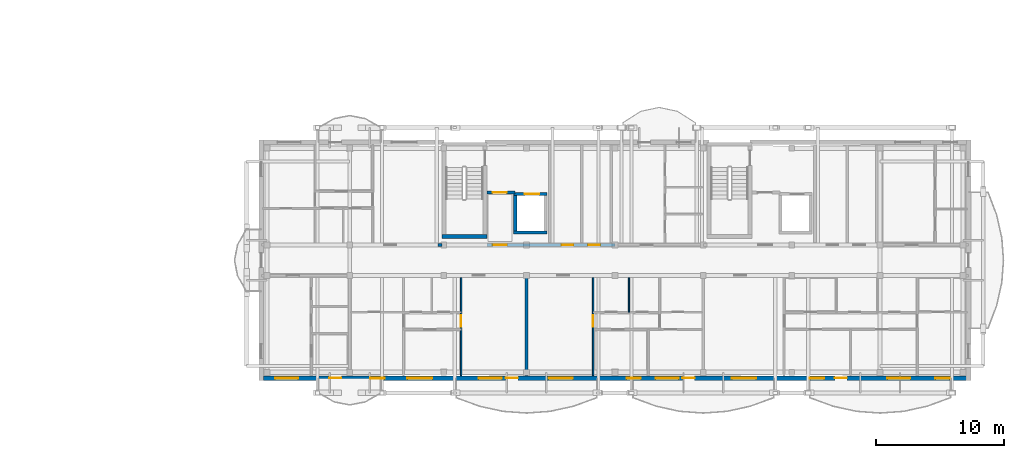
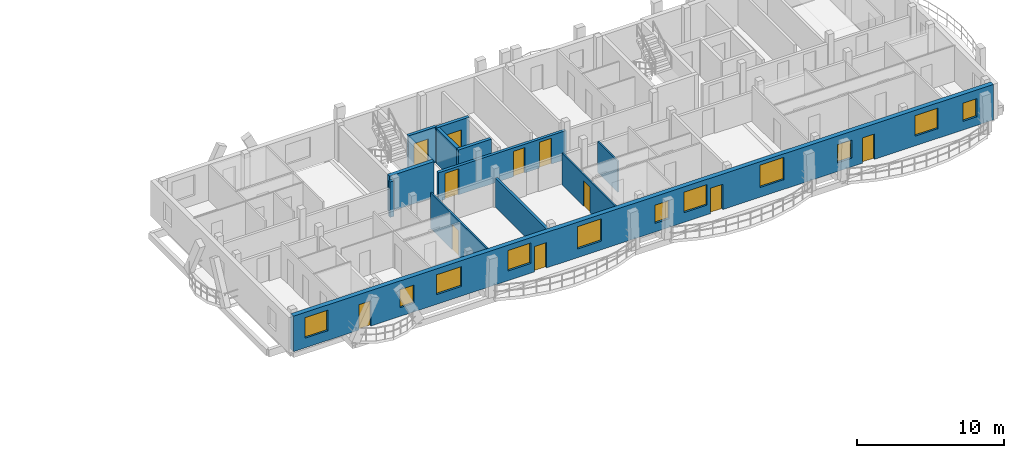
# One storey, part 31 of 52: 12 walls, 11 doors, 11 windows, 22 openings.
"""IFC4 building model written with IfcOpenShell, lengths in metres."""

from ifc_helpers import new_model, si_unit, direction, frame, frame_2d, origin, origin_with_axes, place, context, subcontext, project, spatial, rectangle, extrude, material, layer, layer_set, type_object, element, fill, save


model = new_model("IFC4")

# Units and contexts
model_context = context("Model", 3, precision=1e-05, world=origin(), true_north=direction((0.0, 1.0)))
body_context = subcontext(model_context, "Body", "Model", "MODEL_VIEW")
ifc_project = project(units=[si_unit("LENGTHUNIT", "METRE"), si_unit("AREAUNIT", "SQUARE_METRE"), si_unit("VOLUMEUNIT", "CUBIC_METRE"), si_unit("PLANEANGLEUNIT", "RADIAN"), si_unit("MASSUNIT", "GRAM", prefix="KILO")], contexts=[model_context])

# Site, building, storey
site_placement = place(None, origin())
site = spatial("IfcSite", under=ifc_project, at=site_placement, CompositionType="ELEMENT")
building_placement = place(site_placement, origin())
building = spatial("IfcBuilding", under=site, at=building_placement, Name="Zavelmont Quarter", CompositionType="ELEMENT")
storey_placement = place(building_placement, frame((0.0, 0.0, 14.39990234375)))
storey = spatial("IfcBuildingStorey", under=building, at=storey_placement, Name="L04", CompositionType="ELEMENT", Elevation=14.39990234375)

# Wall, openings, doors, windows
ifc_material_1 = material(Name="Natural Belgian limestone", Category="masonry")
ifc_layer_1 = layer(ifc_material_1, 0.360107421875)
ifc_layer_set_1 = layer_set([ifc_layer_1], Name="Natural Belgian limestone")
wall_type_1 = type_object("IfcWallType", Name="EW02", PredefinedType="STANDARD", material=ifc_layer_set_1)
wall_1_placement = place(storey_placement, frame((112.969970703125, 0.0, 0.0), z_axis=(0.0, 0.0, 1.0), x_axis=(1.0, 0.0, 0.0)))
wall_1 = element("IfcWall", 1, at=wall_1_placement, inside=storey, type_object=wall_type_1, Name="L04 exterior limestone wall EW02", PredefinedType="STANDARD", context=body_context, shape_type="SweptSolid", body=[
    extrude(rectangle(XDim=54.860107421875, YDim=0.360107421875, at=frame_2d((27.43017578125, 0.0))), origin(), (0.0, 0.0, 1.0), 2.940185546875),
])
opening_1_placement = place(wall_1_placement, frame((5.126708984375, 0.0, 0.0)))
opening_1 = element("IfcOpeningElement", 2, at=opening_1_placement, cuts=wall_1, Name="Opening DR04", PredefinedType="OPENING", context=body_context, shape_type="SweptSolid", body=[
    extrude(rectangle(XDim=0.949951171875, YDim=2.10009765625, at=frame_2d((0.47509765625, 1.050048828125))), frame((0.0, 0.19189453125, 0.0), z_axis=(0.0, -1.0, 0.0), x_axis=(1.0, 0.0, 0.0)), (0.0, 0.0, 1.0), 0.384033203125),
])
opening_2_placement = place(wall_1_placement, frame((18.89990234375, 0.0, 0.0)))
opening_2 = element("IfcOpeningElement", 3, at=opening_2_placement, cuts=wall_1, Name="Opening DR04", PredefinedType="OPENING", context=body_context, shape_type="SweptSolid", body=[
    extrude(rectangle(XDim=0.949951171875, YDim=2.10009765625, at=frame_2d((0.47509765625, 1.050048828125))), frame((0.0, 0.19189453125, 0.0), z_axis=(0.0, -1.0, 0.0), x_axis=(1.0, 0.0, 0.0)), (0.0, 0.0, 1.0), 0.384033203125),
])
opening_3_placement = place(wall_1_placement, frame((32.699951171875, 0.0, 0.0)))
opening_3 = element("IfcOpeningElement", 4, at=opening_3_placement, cuts=wall_1, Name="Opening DR04", PredefinedType="OPENING", context=body_context, shape_type="SweptSolid", body=[
    extrude(rectangle(XDim=0.949951171875, YDim=2.10009765625, at=frame_2d((0.47509765625, 1.050048828125))), frame((0.0, 0.19189453125, 0.0), z_axis=(0.0, -1.0, 0.0), x_axis=(1.0, 0.0, 0.0)), (0.0, 0.0, 1.0), 0.384033203125),
])
opening_4_placement = place(wall_1_placement, frame((44.591064453125, 0.0, 0.0)))
opening_4 = element("IfcOpeningElement", 5, at=opening_4_placement, cuts=wall_1, Name="Opening DR04", PredefinedType="OPENING", context=body_context, shape_type="SweptSolid", body=[
    extrude(rectangle(XDim=0.949951171875, YDim=2.10009765625, at=frame_2d((0.47509765625, 1.050048828125))), frame((0.0, 0.19189453125, 0.0), z_axis=(0.0, -1.0, 0.0), x_axis=(1.0, 0.0, 0.0)), (0.0, 0.0, 1.0), 0.384033203125),
])
opening_5_placement = place(wall_1_placement, frame((0.89990234375, 0.0, 0.800048828125)))
opening_5 = element("IfcOpeningElement", 6, at=opening_5_placement, cuts=wall_1, Name="Opening WN02", PredefinedType="OPENING", context=body_context, shape_type="SweptSolid", body=[
    extrude(rectangle(XDim=1.800048828125, YDim=1.699951171875, at=frame_2d((0.89990234375, 0.85009765625))), frame((0.0, 0.19189453125, 0.0), z_axis=(0.0, -1.0, 0.0), x_axis=(1.0, 0.0, 0.0)), (0.0, 0.0, 1.0), 0.384033203125),
])
opening_6_placement = place(wall_1_placement, frame((8.35009765625, 0.0, 0.719970703125)))
opening_6 = element("IfcOpeningElement", 7, at=opening_6_placement, cuts=wall_1, Name="Opening WN09", PredefinedType="OPENING", context=body_context, shape_type="SweptSolid", body=[
    extrude(rectangle(XDim=1.10009765625, YDim=1.5, at=frame_2d((0.550048828125, 0.75))), frame((0.0, 0.19189453125, 0.0), z_axis=(0.0, -1.0, 0.0), x_axis=(1.0, 0.0, 0.0)), (0.0, 0.0, 1.0), 0.384033203125),
])
opening_7_placement = place(wall_1_placement, frame((11.22509765625, 0.0, 0.800048828125)))
opening_7 = element("IfcOpeningElement", 8, at=opening_7_placement, cuts=wall_1, Name="Opening WN24", PredefinedType="OPENING", context=body_context, shape_type="SweptSolid", body=[
    extrude(rectangle(XDim=1.949951171875, YDim=1.64990234375, at=frame_2d((0.97509765625, 0.824951171875))), frame((0.0, 0.19189453125, 0.0), z_axis=(0.0, -1.0, 0.0), x_axis=(1.0, 0.0, 0.0)), (0.0, 0.0, 1.0), 0.384033203125),
])
opening_8_placement = place(wall_1_placement, frame((16.800048828125, 0.0, 0.800048828125)))
opening_8 = element("IfcOpeningElement", 9, at=opening_8_placement, cuts=wall_1, Name="Opening WN02", PredefinedType="OPENING", context=body_context, shape_type="SweptSolid", body=[
    extrude(rectangle(XDim=1.800048828125, YDim=1.699951171875, at=frame_2d((0.89990234375, 0.85009765625))), frame((0.0, 0.19189453125, 0.0), z_axis=(0.0, -1.0, 0.0), x_axis=(1.0, 0.0, 0.0)), (0.0, 0.0, 1.0), 0.384033203125),
])
opening_9_placement = place(wall_1_placement, frame((22.25, 0.0, 0.719970703125)))
opening_9 = element("IfcOpeningElement", 10, at=opening_9_placement, cuts=wall_1, Name="Opening WN20", PredefinedType="OPENING", context=body_context, shape_type="SweptSolid", body=[
    extrude(rectangle(XDim=1.89990234375, YDim=1.85009765625, at=frame_2d((0.949951171875, 0.925048828125))), frame((0.0, 0.19189453125, 0.0), z_axis=(0.0, -1.0, 0.0), x_axis=(1.0, 0.0, 0.0)), (0.0, 0.0, 1.0), 0.384033203125),
])
opening_10_placement = place(wall_1_placement, frame((28.35009765625, 0.0, 0.719970703125)))
opening_10 = element("IfcOpeningElement", 11, at=opening_10_placement, cuts=wall_1, Name="Opening WN09", PredefinedType="OPENING", context=body_context, shape_type="SweptSolid", body=[
    extrude(rectangle(XDim=1.10009765625, YDim=1.5, at=frame_2d((0.550048828125, 0.75))), frame((0.0, 0.19189453125, 0.0), z_axis=(0.0, -1.0, 0.0), x_axis=(1.0, 0.0, 0.0)), (0.0, 0.0, 1.0), 0.384033203125),
])
opening_11_placement = place(wall_1_placement, frame((30.60009765625, 0.0, 0.800048828125)))
opening_11 = element("IfcOpeningElement", 12, at=opening_11_placement, cuts=wall_1, Name="Opening WN02", PredefinedType="OPENING", context=body_context, shape_type="SweptSolid", body=[
    extrude(rectangle(XDim=1.800048828125, YDim=1.699951171875, at=frame_2d((0.89990234375, 0.85009765625))), frame((0.0, 0.19189453125, 0.0), z_axis=(0.0, -1.0, 0.0), x_axis=(1.0, 0.0, 0.0)), (0.0, 0.0, 1.0), 0.384033203125),
])
opening_12_placement = place(wall_1_placement, frame((36.550048828125, 0.0, 0.800048828125)))
opening_12 = element("IfcOpeningElement", 13, at=opening_12_placement, cuts=wall_1, Name="Opening WN20", PredefinedType="OPENING", context=body_context, shape_type="SweptSolid", body=[
    extrude(rectangle(XDim=1.89990234375, YDim=1.85009765625, at=frame_2d((0.949951171875, 0.925048828125))), frame((0.0, 0.19189453125, 0.0), z_axis=(0.0, -1.0, 0.0), x_axis=(1.0, 0.0, 0.0)), (0.0, 0.0, 1.0), 0.384033203125),
])
opening_13_placement = place(wall_1_placement, frame((42.64990234375, 0.0, 0.719970703125)))
opening_13 = element("IfcOpeningElement", 14, at=opening_13_placement, cuts=wall_1, Name="Opening WN09", PredefinedType="OPENING", context=body_context, shape_type="SweptSolid", body=[
    extrude(rectangle(XDim=1.10009765625, YDim=1.5, at=frame_2d((0.550048828125, 0.75))), frame((0.0, 0.19189453125, 0.0), z_axis=(0.0, -1.0, 0.0), x_axis=(1.0, 0.0, 0.0)), (0.0, 0.0, 1.0), 0.384033203125),
])
opening_14_placement = place(wall_1_placement, frame((48.699951171875, 0.0, 0.800048828125)))
opening_14 = element("IfcOpeningElement", 15, at=opening_14_placement, cuts=wall_1, Name="Opening WN02", PredefinedType="OPENING", context=body_context, shape_type="SweptSolid", body=[
    extrude(rectangle(XDim=1.800048828125, YDim=1.699951171875, at=frame_2d((0.89990234375, 0.85009765625))), frame((0.0, 0.19189453125, 0.0), z_axis=(0.0, -1.0, 0.0), x_axis=(1.0, 0.0, 0.0)), (0.0, 0.0, 1.0), 0.384033203125),
])
opening_15_placement = place(wall_1_placement, frame((52.449951171875, 0.0, 0.719970703125)))
opening_15 = element("IfcOpeningElement", 16, at=opening_15_placement, cuts=wall_1, Name="Opening WN09", PredefinedType="OPENING", context=body_context, shape_type="SweptSolid", body=[
    extrude(rectangle(XDim=1.10009765625, YDim=1.5, at=frame_2d((0.550048828125, 0.75))), frame((0.0, 0.19189453125, 0.0), z_axis=(0.0, -1.0, 0.0), x_axis=(1.0, 0.0, 0.0)), (0.0, 0.0, 1.0), 0.384033203125),
])
ifc_material_2 = material(Name="Thermally broken aluminium and double safety glass", Category="aluminium")
door_type_1 = type_object("IfcDoorType", Name="DR04", OperationType="NOTDEFINED", PredefinedType="DOOR", material=ifc_material_2)
door_1_placement = place(opening_1_placement, origin_with_axes())
door_1 = element("IfcDoor", 17, at=door_1_placement, inside=storey, type_object=door_type_1, Name="Block D L04 glazed balcony door", OperationType="SINGLE_SWING_RIGHT", OverallHeight=2.10009765625, OverallWidth=0.949951171875, PredefinedType="DOOR", context=body_context, shape_type="SweptSolid", body=[
    extrude(rectangle(XDim=0.949951171875, YDim=2.10009765625, at=frame_2d((0.47509765625, 1.050048828125))), frame((0.0, 0.02490234375, 0.0), z_axis=(0.0, -1.0, 0.0), x_axis=(1.0, 0.0, 0.0)), (0.0, 0.0, 1.0), 0.050048828125),
])
fill(opening_1, door_1)
door_2_placement = place(opening_2_placement, origin_with_axes())
door_2 = element("IfcDoor", 18, at=door_2_placement, inside=storey, type_object=door_type_1, Name="Block D L04 glazed balcony door", OperationType="SINGLE_SWING_RIGHT", OverallHeight=2.10009765625, OverallWidth=0.949951171875, PredefinedType="DOOR", context=body_context, shape_type="SweptSolid", body=[
    extrude(rectangle(XDim=0.949951171875, YDim=2.10009765625, at=frame_2d((0.47509765625, 1.050048828125))), frame((0.0, 0.02490234375, 0.0), z_axis=(0.0, -1.0, 0.0), x_axis=(1.0, 0.0, 0.0)), (0.0, 0.0, 1.0), 0.050048828125),
])
fill(opening_2, door_2)
door_3_placement = place(opening_3_placement, origin_with_axes())
door_3 = element("IfcDoor", 19, at=door_3_placement, inside=storey, type_object=door_type_1, Name="Block D L04 glazed balcony door", OperationType="SINGLE_SWING_RIGHT", OverallHeight=2.10009765625, OverallWidth=0.949951171875, PredefinedType="DOOR", context=body_context, shape_type="SweptSolid", body=[
    extrude(rectangle(XDim=0.949951171875, YDim=2.10009765625, at=frame_2d((0.47509765625, 1.050048828125))), frame((0.0, 0.02490234375, 0.0), z_axis=(0.0, -1.0, 0.0), x_axis=(1.0, 0.0, 0.0)), (0.0, 0.0, 1.0), 0.050048828125),
])
fill(opening_3, door_3)
door_4_placement = place(opening_4_placement, origin_with_axes())
door_4 = element("IfcDoor", 20, at=door_4_placement, inside=storey, type_object=door_type_1, Name="Block D L04 glazed balcony door", OperationType="SINGLE_SWING_RIGHT", OverallHeight=2.10009765625, OverallWidth=0.949951171875, PredefinedType="DOOR", context=body_context, shape_type="SweptSolid", body=[
    extrude(rectangle(XDim=0.949951171875, YDim=2.10009765625, at=frame_2d((0.47509765625, 1.050048828125))), frame((0.0, 0.02490234375, 0.0), z_axis=(0.0, -1.0, 0.0), x_axis=(1.0, 0.0, 0.0)), (0.0, 0.0, 1.0), 0.050048828125),
])
fill(opening_4, door_4)
ifc_material_3 = material(Name="Double low-E insulated glazing in thermally broken aluminium frame", Category="aluminium")
window_type_1 = type_object("IfcWindowType", Name="WN02", PartitioningType="SINGLE_PANEL", PredefinedType="WINDOW", material=ifc_material_3)
window_1_placement = place(opening_5_placement, origin_with_axes())
window_1 = element("IfcWindow", 21, at=window_1_placement, inside=storey, type_object=window_type_1, Name="L04 window WN02", OverallHeight=1.699951171875, OverallWidth=1.800048828125, PartitioningType="SINGLE_PANEL", PredefinedType="WINDOW", context=body_context, shape_type="SweptSolid", body=[
    extrude(rectangle(XDim=1.800048828125, YDim=1.699951171875, at=frame_2d((0.89990234375, 0.85009765625))), frame((0.0, 0.030029296875, 0.0), z_axis=(0.0, -1.0, 0.0), x_axis=(1.0, 0.0, 0.0)), (0.0, 0.0, 1.0), 0.06005859375),
])
fill(opening_5, window_1)
window_2_placement = place(opening_8_placement, origin_with_axes())
window_2 = element("IfcWindow", 22, at=window_2_placement, inside=storey, type_object=window_type_1, Name="L04 window WN02", OverallHeight=1.699951171875, OverallWidth=1.800048828125, PartitioningType="SINGLE_PANEL", PredefinedType="WINDOW", context=body_context, shape_type="SweptSolid", body=[
    extrude(rectangle(XDim=1.800048828125, YDim=1.699951171875, at=frame_2d((0.89990234375, 0.85009765625))), frame((0.0, 0.030029296875, 0.0), z_axis=(0.0, -1.0, 0.0), x_axis=(1.0, 0.0, 0.0)), (0.0, 0.0, 1.0), 0.06005859375),
])
fill(opening_8, window_2)
window_3_placement = place(opening_11_placement, origin_with_axes())
window_3 = element("IfcWindow", 23, at=window_3_placement, inside=storey, type_object=window_type_1, Name="L04 window WN02", OverallHeight=1.699951171875, OverallWidth=1.800048828125, PartitioningType="SINGLE_PANEL", PredefinedType="WINDOW", context=body_context, shape_type="SweptSolid", body=[
    extrude(rectangle(XDim=1.800048828125, YDim=1.699951171875, at=frame_2d((0.89990234375, 0.85009765625))), frame((0.0, 0.030029296875, 0.0), z_axis=(0.0, -1.0, 0.0), x_axis=(1.0, 0.0, 0.0)), (0.0, 0.0, 1.0), 0.06005859375),
])
fill(opening_11, window_3)
window_4_placement = place(opening_14_placement, origin_with_axes())
window_4 = element("IfcWindow", 24, at=window_4_placement, inside=storey, type_object=window_type_1, Name="L04 window WN02", OverallHeight=1.699951171875, OverallWidth=1.800048828125, PartitioningType="SINGLE_PANEL", PredefinedType="WINDOW", context=body_context, shape_type="SweptSolid", body=[
    extrude(rectangle(XDim=1.800048828125, YDim=1.699951171875, at=frame_2d((0.89990234375, 0.85009765625))), frame((0.0, 0.030029296875, 0.0), z_axis=(0.0, -1.0, 0.0), x_axis=(1.0, 0.0, 0.0)), (0.0, 0.0, 1.0), 0.06005859375),
])
fill(opening_14, window_4)
window_type_2 = type_object("IfcWindowType", Name="WN09", PartitioningType="SINGLE_PANEL", PredefinedType="WINDOW", material=ifc_material_3)
window_5_placement = place(opening_6_placement, origin_with_axes())
window_5 = element("IfcWindow", 25, at=window_5_placement, inside=storey, type_object=window_type_2, Name="L04 window WN09", OverallHeight=1.5, OverallWidth=1.10009765625, PartitioningType="SINGLE_PANEL", PredefinedType="WINDOW", context=body_context, shape_type="SweptSolid", body=[
    extrude(rectangle(XDim=1.10009765625, YDim=1.5, at=frame_2d((0.550048828125, 0.75))), frame((0.0, 0.030029296875, 0.0), z_axis=(0.0, -1.0, 0.0), x_axis=(1.0, 0.0, 0.0)), (0.0, 0.0, 1.0), 0.06005859375),
])
fill(opening_6, window_5)
window_6_placement = place(opening_10_placement, origin_with_axes())
window_6 = element("IfcWindow", 26, at=window_6_placement, inside=storey, type_object=window_type_2, Name="L04 window WN09", OverallHeight=1.5, OverallWidth=1.10009765625, PartitioningType="SINGLE_PANEL", PredefinedType="WINDOW", context=body_context, shape_type="SweptSolid", body=[
    extrude(rectangle(XDim=1.10009765625, YDim=1.5, at=frame_2d((0.550048828125, 0.75))), frame((0.0, 0.030029296875, 0.0), z_axis=(0.0, -1.0, 0.0), x_axis=(1.0, 0.0, 0.0)), (0.0, 0.0, 1.0), 0.06005859375),
])
fill(opening_10, window_6)
window_7_placement = place(opening_13_placement, origin_with_axes())
window_7 = element("IfcWindow", 27, at=window_7_placement, inside=storey, type_object=window_type_2, Name="L04 window WN09", OverallHeight=1.5, OverallWidth=1.10009765625, PartitioningType="SINGLE_PANEL", PredefinedType="WINDOW", context=body_context, shape_type="SweptSolid", body=[
    extrude(rectangle(XDim=1.10009765625, YDim=1.5, at=frame_2d((0.550048828125, 0.75))), frame((0.0, 0.030029296875, 0.0), z_axis=(0.0, -1.0, 0.0), x_axis=(1.0, 0.0, 0.0)), (0.0, 0.0, 1.0), 0.06005859375),
])
fill(opening_13, window_7)
window_8_placement = place(opening_15_placement, origin_with_axes())
window_8 = element("IfcWindow", 28, at=window_8_placement, inside=storey, type_object=window_type_2, Name="L04 window WN09", OverallHeight=1.5, OverallWidth=1.10009765625, PartitioningType="SINGLE_PANEL", PredefinedType="WINDOW", context=body_context, shape_type="SweptSolid", body=[
    extrude(rectangle(XDim=1.10009765625, YDim=1.5, at=frame_2d((0.550048828125, 0.75))), frame((0.0, 0.030029296875, 0.0), z_axis=(0.0, -1.0, 0.0), x_axis=(1.0, 0.0, 0.0)), (0.0, 0.0, 1.0), 0.06005859375),
])
fill(opening_15, window_8)
window_type_3 = type_object("IfcWindowType", Name="WN20", PartitioningType="SINGLE_PANEL", PredefinedType="WINDOW", material=ifc_material_3)
window_9_placement = place(opening_9_placement, origin_with_axes())
window_9 = element("IfcWindow", 29, at=window_9_placement, inside=storey, type_object=window_type_3, Name="L04 window WN20", OverallHeight=1.85009765625, OverallWidth=1.89990234375, PartitioningType="SINGLE_PANEL", PredefinedType="WINDOW", context=body_context, shape_type="SweptSolid", body=[
    extrude(rectangle(XDim=1.89990234375, YDim=1.85009765625, at=frame_2d((0.949951171875, 0.925048828125))), frame((0.0, 0.030029296875, 0.0), z_axis=(0.0, -1.0, 0.0), x_axis=(1.0, 0.0, 0.0)), (0.0, 0.0, 1.0), 0.06005859375),
])
fill(opening_9, window_9)
window_10_placement = place(opening_12_placement, origin_with_axes())
window_10 = element("IfcWindow", 30, at=window_10_placement, inside=storey, type_object=window_type_3, Name="L04 window WN20", OverallHeight=1.85009765625, OverallWidth=1.89990234375, PartitioningType="SINGLE_PANEL", PredefinedType="WINDOW", context=body_context, shape_type="SweptSolid", body=[
    extrude(rectangle(XDim=1.89990234375, YDim=1.85009765625, at=frame_2d((0.949951171875, 0.925048828125))), frame((0.0, 0.030029296875, 0.0), z_axis=(0.0, -1.0, 0.0), x_axis=(1.0, 0.0, 0.0)), (0.0, 0.0, 1.0), 0.06005859375),
])
fill(opening_12, window_10)
window_type_4 = type_object("IfcWindowType", Name="WN24", PartitioningType="SINGLE_PANEL", PredefinedType="WINDOW", material=ifc_material_3)
window_11_placement = place(opening_7_placement, origin_with_axes())
window_11 = element("IfcWindow", 31, at=window_11_placement, inside=storey, type_object=window_type_4, Name="L04 window WN24", OverallHeight=1.64990234375, OverallWidth=1.949951171875, PartitioningType="SINGLE_PANEL", PredefinedType="WINDOW", context=body_context, shape_type="SweptSolid", body=[
    extrude(rectangle(XDim=1.949951171875, YDim=1.64990234375, at=frame_2d((0.97509765625, 0.824951171875))), frame((0.0, 0.030029296875, 0.0), z_axis=(0.0, -1.0, 0.0), x_axis=(1.0, 0.0, 0.0)), (0.0, 0.0, 1.0), 0.06005859375),
])
fill(opening_7, window_11)

# Wall
ifc_material_4 = material(Name="Calcium-silicate blockwork and acoustic plaster", Category="masonry")
ifc_layer_2 = layer(ifc_material_4, 0.199951171875)
ifc_layer_set_2 = layer_set([ifc_layer_2], Name="Calcium-silicate blockwork and acoustic plaster")
wall_type_2 = type_object("IfcWallType", Name="IW01", PredefinedType="PARTITIONING", material=ifc_layer_set_2)
wall_2_placement = place(storey_placement, frame((133.5, 7.85009765625, 0.0), z_axis=(0.0, 0.0, 1.0), x_axis=(0.0, -1.0, 0.0)))
element("IfcWall", 32, at=wall_2_placement, inside=storey, type_object=wall_type_2, Name="L04 Inter-dwelling compartment wall IW01", PredefinedType="PARTITIONING", context=body_context, shape_type="SweptSolid", body=[
    extrude(rectangle(XDim=7.7001953125, YDim=0.199951171875, at=frame_2d((3.85009765625, 0.0))), origin(), (0.0, 0.0, 1.0), 2.380126953125),
])

# Wall, opening, door
ifc_material_5 = material(Name="Reinforced masonry fire compartment wall", Category="masonry")
ifc_layer_3 = layer(ifc_material_5, 0.22509765625)
ifc_layer_set_3 = layer_set([ifc_layer_3], Name="Reinforced masonry fire compartment wall")
wall_type_3 = type_object("IfcWallType", Name="IW02", PredefinedType="PARTITIONING", material=ifc_layer_set_3)
wall_3_placement = place(storey_placement, frame((130.39990234375, 14.5, 0.0), z_axis=(0.0, 0.0, 1.0), x_axis=(1.0, 0.0, 0.0)))
wall_3 = element("IfcWall", 33, at=wall_3_placement, inside=storey, type_object=wall_type_3, Name="L04 Firefighting lobby threshold wall IW02", PredefinedType="PARTITIONING", context=body_context, shape_type="SweptSolid", body=[
    extrude(rectangle(XDim=2.2001953125, YDim=0.22509765625, at=frame_2d((1.10009765625, 0.0))), origin(), (0.0, 0.0, 1.0), 2.940185546875),
])
opening_16_placement = place(wall_3_placement, frame((0.449951171875, 0.0, 0.0)))
opening_16 = element("IfcOpeningElement", 34, at=opening_16_placement, cuts=wall_3, Name="Opening DR10", PredefinedType="OPENING", context=body_context, shape_type="SweptSolid", body=[
    extrude(rectangle(XDim=1.10009765625, YDim=2.14990234375, at=frame_2d((0.550048828125, 1.074951171875))), frame((0.0, 0.12451171875, 0.0), z_axis=(0.0, -1.0, 0.0), x_axis=(1.0, 0.0, 0.0)), (0.0, 0.0, 1.0), 0.2490234375),
])
ifc_material_6 = material(Name="Painted steel lobby fire door", Category="steel")
door_type_2 = type_object("IfcDoorType", Name="DR10", OperationType="NOTDEFINED", PredefinedType="DOOR", material=ifc_material_6)
door_5_placement = place(opening_16_placement, origin_with_axes())
door_5 = element("IfcDoor", 35, at=door_5_placement, inside=storey, type_object=door_type_2, Name="Firefighting lobby fire door", OperationType="SINGLE_SWING_RIGHT", OverallHeight=2.14990234375, OverallWidth=1.10009765625, PredefinedType="DOOR", context=body_context, shape_type="SweptSolid", body=[
    extrude(rectangle(XDim=1.10009765625, YDim=2.14990234375, at=frame_2d((0.550048828125, 1.074951171875))), frame((0.0, 0.02490234375, 0.0), z_axis=(0.0, -1.0, 0.0), x_axis=(1.0, 0.0, 0.0)), (0.0, 0.0, 1.0), 0.050048828125),
])
fill(opening_16, door_5)

# Wall
wall_4_placement = place(storey_placement, frame((126.60009765625, 10.39990234375, 0.0), z_axis=(0.0, 0.0, 1.0), x_axis=(1.0, 0.0, 0.0)))
element("IfcWall", 36, at=wall_4_placement, inside=storey, type_object=wall_type_3, Name="L04 Core corridor wall IW02", PredefinedType="PARTITIONING", context=body_context, shape_type="SweptSolid", body=[
    extrude(rectangle(XDim=0.2998046875, YDim=0.22509765625, at=frame_2d((0.14990234375, 0.0))), origin(), (0.0, 0.0, 1.0), 2.940185546875),
])

# Wall, openings, doors
wall_5_placement = place(storey_placement, frame((130.39990234375, 10.39990234375, 0.0), z_axis=(0.0, 0.0, 1.0), x_axis=(1.0, 0.0, 0.0)))
wall_5 = element("IfcWall", 37, at=wall_5_placement, inside=storey, type_object=wall_type_3, Name="L04 Core corridor fire wall IW02", PredefinedType="PARTITIONING", context=body_context, shape_type="SweptSolid", body=[
    extrude(rectangle(XDim=10.0, YDim=0.22509765625, at=frame_2d((5.0, 0.0))), origin(), (0.0, 0.0, 1.0), 2.380126953125),
])
opening_17_placement = place(wall_5_placement, frame((0.47509765625, 0.0, 0.0)))
opening_17 = element("IfcOpeningElement", 38, at=opening_17_placement, cuts=wall_5, Name="Opening DR10", PredefinedType="OPENING", context=body_context, shape_type="SweptSolid", body=[
    extrude(rectangle(XDim=1.10009765625, YDim=2.14990234375, at=frame_2d((0.550048828125, 1.074951171875))), frame((0.0, 0.12451171875, 0.0), z_axis=(0.0, -1.0, 0.0), x_axis=(1.0, 0.0, 0.0)), (0.0, 0.0, 1.0), 0.2490234375),
])
opening_18_placement = place(wall_5_placement, frame((5.85009765625, 0.0, 0.0)))
opening_18 = element("IfcOpeningElement", 39, at=opening_18_placement, cuts=wall_5, Name="Opening DR11", PredefinedType="OPENING", context=body_context, shape_type="SweptSolid", body=[
    extrude(rectangle(XDim=0.89990234375, YDim=2.10009765625, at=frame_2d((0.449951171875, 1.050048828125))), frame((0.0, 0.12451171875, 0.0), z_axis=(0.0, -1.0, 0.0), x_axis=(1.0, 0.0, 0.0)), (0.0, 0.0, 1.0), 0.2490234375),
])
opening_19_placement = place(wall_5_placement, frame((7.89990234375, 0.0, 0.0)))
opening_19 = element("IfcOpeningElement", 40, at=opening_19_placement, cuts=wall_5, Name="Opening DR02", PredefinedType="OPENING", context=body_context, shape_type="SweptSolid", body=[
    extrude(rectangle(XDim=0.949951171875, YDim=2.14990234375, at=frame_2d((0.47509765625, 1.074951171875))), frame((0.0, 0.12451171875, 0.0), z_axis=(0.0, -1.0, 0.0), x_axis=(1.0, 0.0, 0.0)), (0.0, 0.0, 1.0), 0.2490234375),
])
ifc_material_7 = material(Name="Solid-core oak fire leaf in steel frame", Category="steel")
door_type_3 = type_object("IfcDoorType", Name="DR02", OperationType="NOTDEFINED", PredefinedType="DOOR", material=ifc_material_7)
door_6_placement = place(opening_19_placement, frame((0.949951171875, 0.0, 0.0), z_axis=(0.0, 0.0, 1.0), x_axis=(-1.0, 0.0, 0.0)))
door_6 = element("IfcDoor", 41, at=door_6_placement, inside=storey, type_object=door_type_3, Name="Auxiliary store corridor door", OperationType="SINGLE_SWING_RIGHT", OverallHeight=2.14990234375, OverallWidth=0.949951171875, PredefinedType="DOOR", context=body_context, shape_type="SweptSolid", body=[
    extrude(rectangle(XDim=0.949951171875, YDim=2.14990234375, at=frame_2d((0.47509765625, 1.074951171875))), frame((0.0, 0.02490234375, 0.0), z_axis=(0.0, -1.0, 0.0), x_axis=(1.0, 0.0, 0.0)), (0.0, 0.0, 1.0), 0.050048828125),
])
fill(opening_19, door_6)
door_7_placement = place(opening_17_placement, origin_with_axes())
door_7 = element("IfcDoor", 42, at=door_7_placement, inside=storey, type_object=door_type_2, Name="Core vestibule fire door", OperationType="SINGLE_SWING_LEFT", OverallHeight=2.14990234375, OverallWidth=1.10009765625, PredefinedType="DOOR", context=body_context, shape_type="SweptSolid", body=[
    extrude(rectangle(XDim=1.10009765625, YDim=2.14990234375, at=frame_2d((0.550048828125, 1.074951171875))), frame((0.0, 0.02490234375, 0.0), z_axis=(0.0, -1.0, 0.0), x_axis=(1.0, 0.0, 0.0)), (0.0, 0.0, 1.0), 0.050048828125),
])
fill(opening_17, door_7)
ifc_material_8 = material(Name="Painted steel service-riser fire door", Category="steel")
door_type_4 = type_object("IfcDoorType", Name="DR11", OperationType="NOTDEFINED", PredefinedType="DOOR", material=ifc_material_8)
door_8_placement = place(opening_18_placement, frame((0.89990234375, 0.0, 0.0), z_axis=(0.0, 0.0, 1.0), x_axis=(-1.0, 0.0, 0.0)))
door_8 = element("IfcDoor", 43, at=door_8_placement, inside=storey, type_object=door_type_4, Name="Service riser fire door", OperationType="SINGLE_SWING_LEFT", OverallHeight=2.10009765625, OverallWidth=0.89990234375, PredefinedType="DOOR", context=body_context, shape_type="SweptSolid", body=[
    extrude(rectangle(XDim=0.89990234375, YDim=2.10009765625, at=frame_2d((0.449951171875, 1.050048828125))), frame((0.0, 0.02490234375, 0.0), z_axis=(0.0, -1.0, 0.0), x_axis=(1.0, 0.0, 0.0)), (0.0, 0.0, 1.0), 0.050048828125),
])
fill(opening_18, door_8)

# Wall, opening, door
ifc_material_9 = material(Name="Double gypsum board on acoustic steel stud", Category="steel")
ifc_layer_4 = layer(ifc_material_9, 0.125)
ifc_layer_set_4 = layer_set([ifc_layer_4], Name="Double gypsum board on acoustic steel stud")
wall_type_4 = type_object("IfcWallType", Name="IW03", PredefinedType="PARTITIONING", material=ifc_layer_set_4)
wall_6_placement = place(storey_placement, frame((128.39990234375, 7.85009765625, 0.0), z_axis=(0.0, 0.0, 1.0), x_axis=(0.0, -1.0, 0.0)))
wall_6 = element("IfcWall", 44, at=wall_6_placement, inside=storey, type_object=wall_type_4, Name="L04 Partition IW03", PredefinedType="PARTITIONING", context=body_context, shape_type="SweptSolid", body=[
    extrude(rectangle(XDim=7.650146484375, YDim=0.125, at=frame_2d((3.8251953125, 0.0))), origin(), (0.0, 0.0, 1.0), 2.940185546875),
])
opening_20_placement = place(wall_6_placement, frame((2.949951171875, 0.0, 0.0)))
opening_20 = element("IfcOpeningElement", 45, at=opening_20_placement, cuts=wall_6, Name="Opening DR05", PredefinedType="OPENING", context=body_context, shape_type="SweptSolid", body=[
    extrude(rectangle(XDim=0.89990234375, YDim=2.10009765625, at=frame_2d((0.449951171875, 1.050048828125))), frame((0.0, 0.074462890625, 0.0), z_axis=(0.0, -1.0, 0.0), x_axis=(1.0, 0.0, 0.0)), (0.0, 0.0, 1.0), 0.14892578125),
])
ifc_material_10 = material(Name="Engineered oak flush interior door")
door_type_5 = type_object("IfcDoorType", Name="DR05", OperationType="NOTDEFINED", PredefinedType="DOOR", material=ifc_material_10)
door_9_placement = place(opening_20_placement, origin_with_axes())
door_9 = element("IfcDoor", 46, at=door_9_placement, inside=storey, type_object=door_type_5, Name="L04 door DR05", OperationType="SINGLE_SWING_LEFT", OverallHeight=2.10009765625, OverallWidth=0.89990234375, PredefinedType="DOOR", context=body_context, shape_type="SweptSolid", body=[
    extrude(rectangle(XDim=0.89990234375, YDim=2.10009765625, at=frame_2d((0.449951171875, 1.050048828125))), frame((0.0, 0.02490234375, 0.0), z_axis=(0.0, -1.0, 0.0), x_axis=(1.0, 0.0, 0.0)), (0.0, 0.0, 1.0), 0.050048828125),
])
fill(opening_20, door_9)

wall_7_placement = place(storey_placement, frame((138.699951171875, 7.85009765625, 0.0), z_axis=(0.0, 0.0, 1.0), x_axis=(0.0, -1.0, 0.0)))
wall_7 = element("IfcWall", 47, at=wall_7_placement, inside=storey, type_object=wall_type_4, Name="L04 Partition IW03", PredefinedType="PARTITIONING", context=body_context, shape_type="SweptSolid", body=[
    extrude(rectangle(XDim=7.650146484375, YDim=0.125, at=frame_2d((3.8251953125, 0.0))), origin(), (0.0, 0.0, 1.0), 2.590087890625),
])
opening_21_placement = place(wall_7_placement, frame((2.949951171875, 0.0, 0.0)))
opening_21 = element("IfcOpeningElement", 48, at=opening_21_placement, cuts=wall_7, Name="Opening DR05", PredefinedType="OPENING", context=body_context, shape_type="SweptSolid", body=[
    extrude(rectangle(XDim=0.89990234375, YDim=2.10009765625, at=frame_2d((0.449951171875, 1.050048828125))), frame((0.0, 0.074462890625, 0.0), z_axis=(0.0, -1.0, 0.0), x_axis=(1.0, 0.0, 0.0)), (0.0, 0.0, 1.0), 0.14892578125),
])
door_10_placement = place(opening_21_placement, frame((0.89990234375, 0.0, 0.0), z_axis=(0.0, 0.0, 1.0), x_axis=(-1.0, 0.0, 0.0)))
door_10 = element("IfcDoor", 49, at=door_10_placement, inside=storey, type_object=door_type_5, Name="L04 door DR05", OperationType="SINGLE_SWING_LEFT", OverallHeight=2.10009765625, OverallWidth=0.89990234375, PredefinedType="DOOR", context=body_context, shape_type="SweptSolid", body=[
    extrude(rectangle(XDim=0.89990234375, YDim=2.10009765625, at=frame_2d((0.449951171875, 1.050048828125))), frame((0.0, 0.02490234375, 0.0), z_axis=(0.0, -1.0, 0.0), x_axis=(1.0, 0.0, 0.0)), (0.0, 0.0, 1.0), 0.050048828125),
])
fill(opening_21, door_10)

# Walls
ifc_material_11 = material(Name="Moisture-resistant gypsum board on steel stud", Category="steel")
ifc_layer_5 = layer(ifc_material_11, 0.10009765625)
ifc_layer_set_5 = layer_set([ifc_layer_5], Name="Moisture-resistant gypsum board on steel stud")
wall_type_5 = type_object("IfcWallType", Name="IW04", PredefinedType="PARTITIONING", material=ifc_layer_set_5)
wall_8_placement = place(storey_placement, frame((141.5, 7.85009765625, 0.0), z_axis=(0.0, 0.0, 1.0), x_axis=(0.0, -1.0, 0.0)))
element("IfcWall", 50, at=wall_8_placement, inside=storey, type_object=wall_type_5, Name="L04 Partition IW04", PredefinedType="PARTITIONING", context=body_context, shape_type="SweptSolid", body=[
    extrude(rectangle(XDim=2.7001953125, YDim=0.10009765625, at=frame_2d((1.35009765625, 0.0))), origin(), (0.0, 0.0, 1.0), 2.590087890625),
])
ifc_material_12 = material(Name="Concrete C40/50", Category="concrete")
ifc_layer_6 = layer(ifc_material_12, 0.300048828125)
ifc_layer_set_6 = layer_set([ifc_layer_6], Name="Concrete C40/50")
wall_type_6 = type_object("IfcWallType", Name="SW01", PredefinedType="SHEAR", material=ifc_layer_set_6)
wall_9_placement = place(storey_placement, frame((126.89990234375, 11.050048828125, 0.0), z_axis=(0.0, 0.0, 1.0), x_axis=(1.0, 0.0, 0.0)))
element("IfcWall", 51, at=wall_9_placement, inside=storey, type_object=wall_type_6, Name="L04 ST07 corridor shear wall SW01", PredefinedType="SHEAR", context=body_context, shape_type="SweptSolid", body=[
    extrude(rectangle(XDim=3.5, YDim=0.300048828125, at=frame_2d((1.75, 0.0))), origin(), (0.0, 0.0, 1.0), 2.940185546875),
])

# Wall, opening, door
ifc_layer_7 = layer(ifc_material_12, 0.25)
ifc_layer_set_7 = layer_set([ifc_layer_7], Name="Concrete C40/50")
wall_type_7 = type_object("IfcWallType", Name="SW02", PredefinedType="SHEAR", material=ifc_layer_set_7)
wall_10_placement = place(storey_placement, frame((132.5, 14.375, 0.0), z_axis=(0.0, 0.0, 1.0), x_axis=(1.0, 0.0, 0.0)))
wall_10 = element("IfcWall", 52, at=wall_10_placement, inside=storey, type_object=wall_type_7, Name="L04 Lift FL04 landing shaft wall SW02", PredefinedType="SHEAR", context=body_context, shape_type="SweptSolid", body=[
    extrude(rectangle(XDim=2.60009765625, YDim=0.25, at=frame_2d((1.300048828125, 0.0))), origin(), (0.0, 0.0, 1.0), 2.940185546875),
])
opening_22_placement = place(wall_10_placement, frame((0.875, 0.0, 0.0)))
opening_22 = element("IfcOpeningElement", 53, at=opening_22_placement, cuts=wall_10, Name="Opening LD02", PredefinedType="OPENING", context=body_context, shape_type="SweptSolid", body=[
    extrude(rectangle(XDim=1.10009765625, YDim=2.10009765625, at=frame_2d((0.550048828125, 1.050048828125))), frame((0.0, 0.136962890625, 0.0), z_axis=(0.0, -1.0, 0.0), x_axis=(1.0, 0.0, 0.0)), (0.0, 0.0, 1.0), 0.27392578125),
])
ifc_material_13 = material(Name="Brushed stainless-steel firefighting lift landing door", Category="steel")
door_type_6 = type_object("IfcDoorType", Name="LD02", OperationType="SLIDING_TO_LEFT", PredefinedType="DOOR", material=ifc_material_13)
door_11_placement = place(opening_22_placement, origin_with_axes())
door_11 = element("IfcDoor", 54, at=door_11_placement, inside=storey, type_object=door_type_6, Name="Lift FL04 sliding landing door", OperationType="SLIDING_TO_LEFT", OverallHeight=2.10009765625, OverallWidth=1.10009765625, PredefinedType="DOOR", context=body_context, shape_type="SweptSolid", body=[
    extrude(rectangle(XDim=1.10009765625, YDim=2.10009765625, at=frame_2d((0.550048828125, 1.050048828125))), frame((0.0, 0.02490234375, 0.0), z_axis=(0.0, -1.0, 0.0), x_axis=(1.0, 0.0, 0.0)), (0.0, 0.0, 1.0), 0.050048828125),
])
fill(opening_22, door_11)

# Walls
wall_11_placement = place(storey_placement, frame((132.5, 11.375, 0.0), z_axis=(0.0, 0.0, 1.0), x_axis=(1.0, 0.0, 0.0)))
element("IfcWall", 55, at=wall_11_placement, inside=storey, type_object=wall_type_7, Name="L04 Lift FL04 back shaft wall SW02", PredefinedType="SHEAR", context=body_context, shape_type="SweptSolid", body=[
    extrude(rectangle(XDim=2.60009765625, YDim=0.25, at=frame_2d((1.300048828125, 0.0))), origin(), (0.0, 0.0, 1.0), 2.940185546875),
])
wall_12_placement = place(storey_placement, frame((132.625, 11.25, 0.0), z_axis=(0.0, 0.0, 1.0), x_axis=(0.0, 1.0, 0.0)))
element("IfcWall", 56, at=wall_12_placement, inside=storey, type_object=wall_type_7, Name="L04 Lift FL04 west shaft wall SW02", PredefinedType="SHEAR", context=body_context, shape_type="SweptSolid", body=[
    extrude(rectangle(XDim=3.25, YDim=0.25, at=frame_2d((1.625, 0.0))), origin(), (0.0, 0.0, 1.0), 2.940185546875),
])

save(model, "model.ifc")
